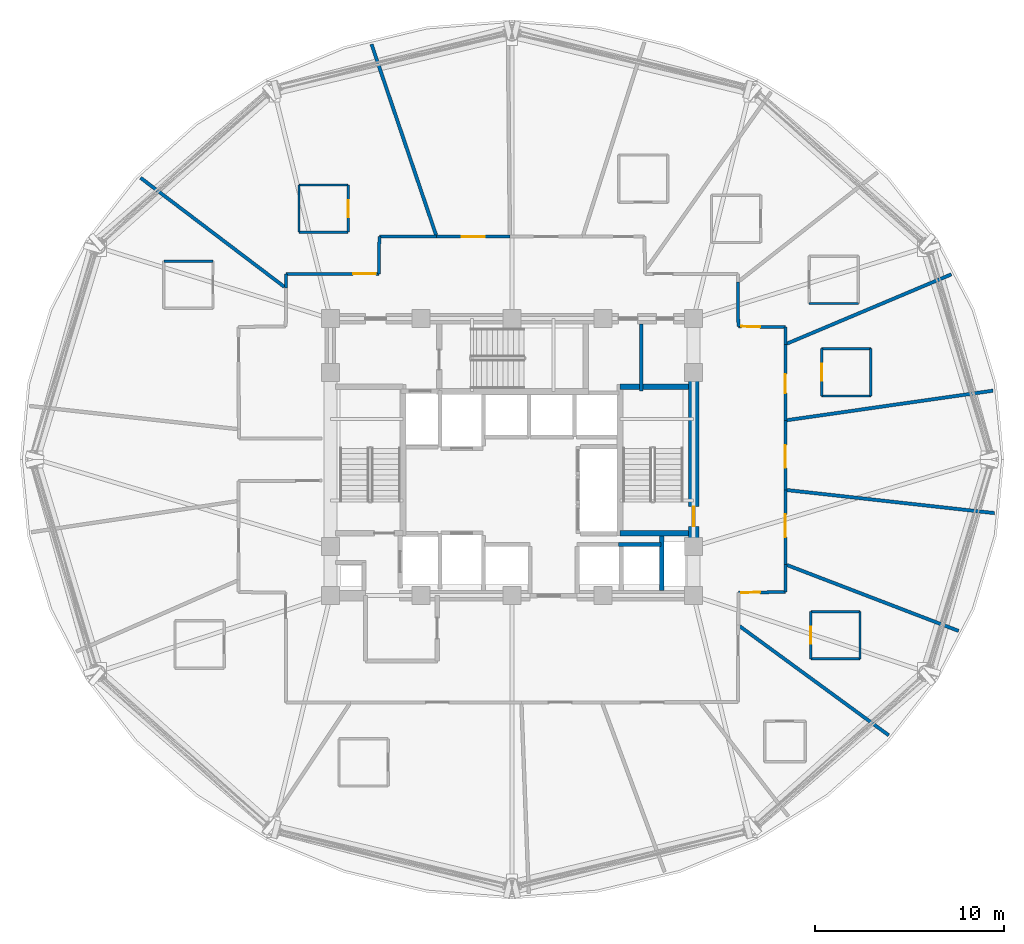
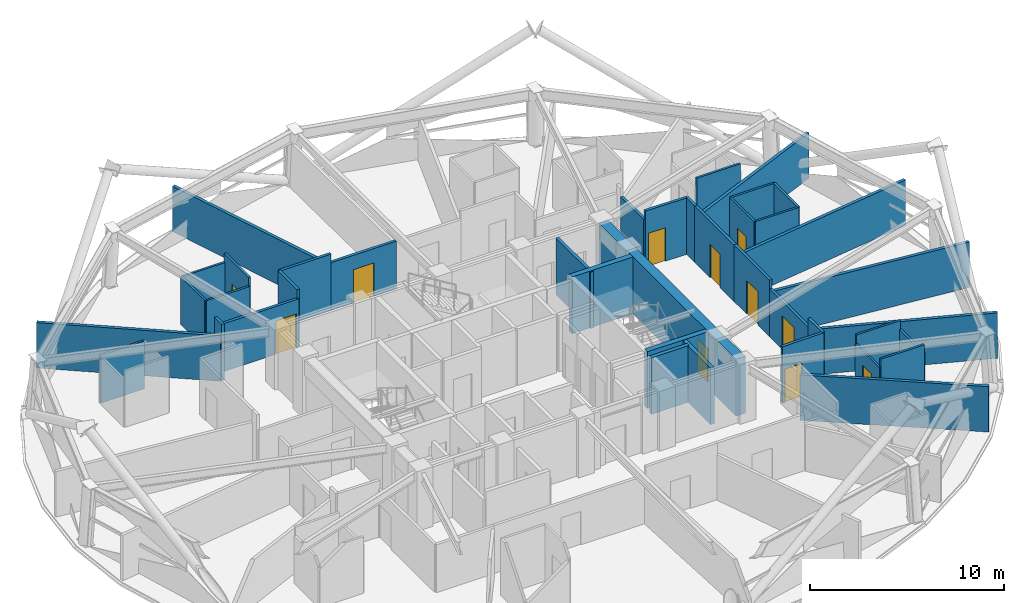
# One storey, part 8 of 13: 40 walls, 11 doors, 11 openings.
"""IFC4 building model written with IfcOpenShell, lengths in metres."""

from ifc_helpers import new_model, si_unit, direction, frame, frame_2d, origin, place, context, subcontext, project, spatial, rectangle, extrude, material, layer, layer_set, type_object, element, fill, save


model = new_model("IFC4")

# Units and contexts
model_context = context("Model", 3, precision=1e-05, world=origin(), true_north=direction((0.0, 1.0)))
body_context = subcontext(model_context, "Body", "Model", "MODEL_VIEW")
ifc_project = project(units=[si_unit("LENGTHUNIT", "METRE"), si_unit("AREAUNIT", "SQUARE_METRE"), si_unit("VOLUMEUNIT", "CUBIC_METRE"), si_unit("PLANEANGLEUNIT", "RADIAN"), si_unit("MASSUNIT", "GRAM", prefix="KILO")], contexts=[model_context])

# Site, building, storey
site_placement = place(None, origin())
site = spatial("IfcSite", under=ifc_project, at=site_placement, CompositionType="ELEMENT")
building_placement = place(site_placement, origin())
building = spatial("IfcBuilding", under=site, at=building_placement, Name="Vantalir Tower", CompositionType="ELEMENT")
storey_placement = place(building_placement, frame((0.0, 0.0, 127.199951171875)))
storey = spatial("IfcBuildingStorey", under=building, at=storey_placement, Name="L31", CompositionType="ELEMENT", Elevation=127.199951171875)

# Walls
ifc_material_1 = material(Name="Moisture-resistant en-suite partition", Category="gypsum")
ifc_layer_1 = layer(ifc_material_1, 0.125)
ifc_layer_set_1 = layer_set([ifc_layer_1], Name="Moisture-resistant en-suite partition")
wall_type_1 = type_object("IfcWallType", Name="WL-BATH-125", PredefinedType="PARTITIONING", material=ifc_layer_set_1)
for number, where, z_axis, x_axis, name in (
    (1, (47.873046875, 28.363037109375, 0.0), (0.0, 0.0, 1.0), (1.0, 0.0, 0.0), "L31 En-suite 01 South Wall"),
    (2, (47.873046875, 30.863037109375, 0.0), (0.0, 0.0, 1.0), (1.0, 0.0, 0.0), "L31 En-suite 01 North Wall"),
):
    element("IfcWall", number, at=place(storey_placement, frame(where, z_axis=z_axis, x_axis=x_axis)), inside=storey, type_object=wall_type_1, Name=name, PredefinedType="PARTITIONING", context=body_context, shape_type="SweptSolid", body=[
        extrude(rectangle(XDim=2.599853515625, YDim=0.125, at=frame_2d((1.2998046875, 0.0))), origin(), (0.0, 0.0, 1.0), 3.550048828125),
    ])

# Wall, opening, door
wall_1_placement = place(storey_placement, frame((47.873046875, 28.363037109375, 0.0), z_axis=(0.0, 0.0, 1.0), x_axis=(0.0, 1.0, 0.0)))
wall_1 = element("IfcWall", 3, at=wall_1_placement, inside=storey, type_object=wall_type_1, Name="L31 En-suite 01 West Wall", PredefinedType="PARTITIONING", context=body_context, shape_type="SweptSolid", body=[
    extrude(rectangle(XDim=2.5, YDim=0.125, at=frame_2d((1.25, 0.0))), origin(), (0.0, 0.0, 1.0), 3.550048828125),
])
opening_1_placement = place(wall_1_placement, frame((0.800048828125, 0.0, 0.0)))
opening_1 = element("IfcOpeningElement", 4, at=opening_1_placement, cuts=wall_1, Name="Opening D-WC", PredefinedType="OPENING", context=body_context, shape_type="SweptSolid", body=[
    extrude(rectangle(XDim=0.89990234375, YDim=2.10009765625, at=frame_2d((0.449951171875, 1.050048828125))), frame((0.0, 0.072509765625, 0.0), z_axis=(0.0, -1.0, 0.0), x_axis=(1.0, 0.0, 0.0)), (0.0, 0.0, 1.0), 0.14501953125),
])
ifc_material_2 = material(Name="Moisture-resistant hardwood door", Category="wood")
door_type_1 = type_object("IfcDoorType", Name="DR-ENSUITE-900", OperationType="NOTDEFINED", PredefinedType="DOOR", material=ifc_material_2)
door_1_placement = place(opening_1_placement, frame((0.89990234375, 0.0, 0.0), z_axis=(0.0, 0.0, 1.0), x_axis=(-1.0, 0.0, 0.0)))
door_1 = element("IfcDoor", 5, at=door_1_placement, inside=storey, type_object=door_type_1, Name="L31 En-suite 01 Door", OperationType="SINGLE_SWING_LEFT", OverallHeight=2.10009765625, OverallWidth=0.89990234375, PredefinedType="DOOR", context=body_context, shape_type="SweptSolid", body=[
    extrude(rectangle(XDim=0.89990234375, YDim=2.10009765625, at=frame_2d((0.449951171875, 1.050048828125))), frame((0.0, 0.02490234375, 0.0), z_axis=(0.0, -1.0, 0.0), x_axis=(1.0, 0.0, 0.0)), (0.0, 0.0, 1.0), 0.050048828125),
])
fill(opening_1, door_1)

# Walls
wall_2_placement = place(storey_placement, frame((50.472900390625, 28.363037109375, 0.0), z_axis=(0.0, 0.0, 1.0), x_axis=(0.0, 1.0, 0.0)))
element("IfcWall", 6, at=wall_2_placement, inside=storey, type_object=wall_type_1, Name="L31 En-suite 01 East Wall", PredefinedType="PARTITIONING", context=body_context, shape_type="SweptSolid", body=[
    extrude(rectangle(XDim=2.5, YDim=0.125, at=frame_2d((1.25, 0.0))), origin(), (0.0, 0.0, 1.0), 3.550048828125),
])
wall_3_placement = place(storey_placement, frame((47.215087890625, 33.25390625, 0.0), z_axis=(0.0, 0.0, 1.0), x_axis=(1.0, 0.0, 0.0)))
element("IfcWall", 7, at=wall_3_placement, inside=storey, type_object=wall_type_1, Name="L31 En-suite 02 South Wall", PredefinedType="PARTITIONING", context=body_context, shape_type="SweptSolid", body=[
    extrude(rectangle(XDim=2.599853515625, YDim=0.125, at=frame_2d((1.2998046875, 0.0))), origin(), (0.0, 0.0, 1.0), 3.550048828125),
])
for number, where, z_axis, x_axis, name in (
    (8, (20.239013671875, 37.02001953125, 0.0), (0.0, 0.0, 1.0), (1.0, 0.0, 0.0), "L31 En-suite 07 South Wall"),
    (9, (20.239013671875, 39.52001953125, 0.0), (0.0, 0.0, 1.0), (1.0, 0.0, 0.0), "L31 En-suite 07 North Wall"),
):
    element("IfcWall", number, at=place(storey_placement, frame(where, z_axis=z_axis, x_axis=x_axis)), inside=storey, type_object=wall_type_1, Name=name, PredefinedType="PARTITIONING", context=body_context, shape_type="SweptSolid", body=[
        extrude(rectangle(XDim=2.60009765625, YDim=0.125, at=frame_2d((1.300048828125, 0.0))), origin(), (0.0, 0.0, 1.0), 3.006103515625),
    ])
wall_4_placement = place(storey_placement, frame((20.239013671875, 37.02001953125, 0.0), z_axis=(0.0, 0.0, 1.0), x_axis=(0.0, 1.0, 0.0)))
element("IfcWall", 10, at=wall_4_placement, inside=storey, type_object=wall_type_1, Name="L31 En-suite 07 West Wall", PredefinedType="PARTITIONING", context=body_context, shape_type="SweptSolid", body=[
    extrude(rectangle(XDim=2.5, YDim=0.125, at=frame_2d((1.25, 0.0))), origin(), (0.0, 0.0, 1.0), 3.006103515625),
])

# Wall, opening, door
wall_5_placement = place(storey_placement, frame((22.839111328125, 37.02001953125, 0.0), z_axis=(0.0, 0.0, 1.0), x_axis=(0.0, 1.0, 0.0)))
wall_5 = element("IfcWall", 11, at=wall_5_placement, inside=storey, type_object=wall_type_1, Name="L31 En-suite 07 East Wall", PredefinedType="PARTITIONING", context=body_context, shape_type="SweptSolid", body=[
    extrude(rectangle(XDim=2.5, YDim=0.125, at=frame_2d((1.25, 0.0))), origin(), (0.0, 0.0, 1.0), 3.550048828125),
])
opening_2_placement = place(wall_5_placement, frame((0.800048828125, 0.0, 0.0)))
opening_2 = element("IfcOpeningElement", 12, at=opening_2_placement, cuts=wall_5, Name="Opening D-WC", PredefinedType="OPENING", context=body_context, shape_type="SweptSolid", body=[
    extrude(rectangle(XDim=0.89990234375, YDim=2.10009765625, at=frame_2d((0.449951171875, 1.050048828125))), frame((0.0, 0.072509765625, 0.0), z_axis=(0.0, -1.0, 0.0), x_axis=(1.0, 0.0, 0.0)), (0.0, 0.0, 1.0), 0.14501953125),
])
door_2_placement = place(opening_2_placement, origin())
door_2 = element("IfcDoor", 13, at=door_2_placement, inside=storey, type_object=door_type_1, Name="L31 En-suite 07 Door", OperationType="SINGLE_SWING_LEFT", OverallHeight=2.10009765625, OverallWidth=0.89990234375, PredefinedType="DOOR", context=body_context, shape_type="SweptSolid", body=[
    extrude(rectangle(XDim=0.89990234375, YDim=2.10009765625, at=frame_2d((0.449951171875, 1.050048828125))), frame((0.0, 0.02490234375, 0.0), z_axis=(0.0, -1.0, 0.0), x_axis=(1.0, 0.0, 0.0)), (0.0, 0.0, 1.0), 0.050048828125),
])
fill(opening_2, door_2)

# Walls
wall_6_placement = place(storey_placement, frame((13.090087890625, 35.493896484375, 0.0), z_axis=(0.0, 0.0, 1.0), x_axis=(1.0, 0.0, 0.0)))
element("IfcWall", 14, at=wall_6_placement, inside=storey, type_object=wall_type_1, Name="L31 En-suite 08 North Wall", PredefinedType="PARTITIONING", context=body_context, shape_type="SweptSolid", body=[
    extrude(rectangle(XDim=2.599853515625, YDim=0.125, at=frame_2d((1.2998046875, 0.0))), origin(), (0.0, 0.0, 1.0), 3.006103515625),
])
for number, where, z_axis, x_axis, name in (
    (15, (47.302001953125, 14.45703125, 0.0), (0.0, 0.0, 1.0), (1.0, 0.0, 0.0), "L31 En-suite 16 South Wall"),
    (16, (47.302001953125, 16.95703125, 0.0), (0.0, 0.0, 1.0), (1.0, 0.0, 0.0), "L31 En-suite 16 North Wall"),
):
    element("IfcWall", number, at=place(storey_placement, frame(where, z_axis=z_axis, x_axis=x_axis)), inside=storey, type_object=wall_type_1, Name=name, PredefinedType="PARTITIONING", context=body_context, shape_type="SweptSolid", body=[
        extrude(rectangle(XDim=2.60009765625, YDim=0.125, at=frame_2d((1.300048828125, 0.0))), origin(), (0.0, 0.0, 1.0), 3.550048828125),
    ])

# Wall, opening, door
wall_7_placement = place(storey_placement, frame((47.302001953125, 14.45703125, 0.0), z_axis=(0.0, 0.0, 1.0), x_axis=(0.0, 1.0, 0.0)))
wall_7 = element("IfcWall", 17, at=wall_7_placement, inside=storey, type_object=wall_type_1, Name="L31 En-suite 16 West Wall", PredefinedType="PARTITIONING", context=body_context, shape_type="SweptSolid", body=[
    extrude(rectangle(XDim=2.5, YDim=0.125, at=frame_2d((1.25, 0.0))), origin(), (0.0, 0.0, 1.0), 3.006103515625),
])
opening_3_placement = place(wall_7_placement, frame((0.800048828125, 0.0, 0.0)))
opening_3 = element("IfcOpeningElement", 18, at=opening_3_placement, cuts=wall_7, Name="Opening D-WC", PredefinedType="OPENING", context=body_context, shape_type="SweptSolid", body=[
    extrude(rectangle(XDim=0.89990234375, YDim=2.10009765625, at=frame_2d((0.449951171875, 1.050048828125))), frame((0.0, 0.072509765625, 0.0), z_axis=(0.0, -1.0, 0.0), x_axis=(1.0, 0.0, 0.0)), (0.0, 0.0, 1.0), 0.14501953125),
])
door_3_placement = place(opening_3_placement, frame((0.89990234375, 0.0, 0.0), z_axis=(0.0, 0.0, 1.0), x_axis=(-1.0, 0.0, 0.0)))
door_3 = element("IfcDoor", 19, at=door_3_placement, inside=storey, type_object=door_type_1, Name="L31 En-suite 16 Door", OperationType="SINGLE_SWING_RIGHT", OverallHeight=2.10009765625, OverallWidth=0.89990234375, PredefinedType="DOOR", context=body_context, shape_type="SweptSolid", body=[
    extrude(rectangle(XDim=0.89990234375, YDim=2.10009765625, at=frame_2d((0.449951171875, 1.050048828125))), frame((0.0, 0.02490234375, 0.0), z_axis=(0.0, -1.0, 0.0), x_axis=(1.0, 0.0, 0.0)), (0.0, 0.0, 1.0), 0.050048828125),
])
fill(opening_3, door_3)

# Wall
wall_8_placement = place(storey_placement, frame((49.902099609375, 14.45703125, 0.0), z_axis=(0.0, 0.0, 1.0), x_axis=(0.0, 1.0, 0.0)))
element("IfcWall", 20, at=wall_8_placement, inside=storey, type_object=wall_type_1, Name="L31 En-suite 16 East Wall", PredefinedType="PARTITIONING", context=body_context, shape_type="SweptSolid", body=[
    extrude(rectangle(XDim=2.5, YDim=0.125, at=frame_2d((1.25, 0.0))), origin(), (0.0, 0.0, 1.0), 3.006103515625),
])

# Wall, opening, door
ifc_material_3 = material(Name="Concrete C60/75", Category="concrete")
ifc_layer_2 = layer(ifc_material_3, 0.550048828125)
ifc_layer_set_2 = layer_set([ifc_layer_2], Name="Concrete C60/75")
wall_type_2 = type_object("IfcWallType", Name="WL-CORE-550", PredefinedType="SHEAR", material=ifc_layer_set_2)
wall_9_placement = place(storey_placement, frame((41.10009765625, 18.074951171875, 0.0), z_axis=(0.0, 0.0, 1.0), x_axis=(0.0, 1.0, 0.0)))
wall_9 = element("IfcWall", 21, at=wall_9_placement, inside=storey, type_object=wall_type_2, Name="L31 Core Shear Wall East", PredefinedType="SHEAR", context=body_context, shape_type="SweptSolid", body=[
    extrude(rectangle(XDim=14.10009765625, YDim=0.550048828125, at=frame_2d((7.050048828125, 0.0))), origin(), (0.0, 0.0, 1.0), 3.570068359375),
])
opening_4_placement = place(wall_9_placement, frame((3.385009765625, 0.0, 0.0)))
opening_4 = element("IfcOpeningElement", 22, at=opening_4_placement, cuts=wall_9, Name="Opening D-ST", PredefinedType="OPENING", context=body_context, shape_type="SweptSolid", body=[
    extrude(rectangle(XDim=1.050048828125, YDim=2.10009765625, at=frame_2d((0.52490234375, 1.050048828125))), frame((0.0, 0.284912109375, 0.0), z_axis=(0.0, -1.0, 0.0), x_axis=(1.0, 0.0, 0.0)), (0.0, 0.0, 1.0), 0.570068359375),
])
ifc_material_4 = material(Name="Fire-rated steel door leaf", Category="steel")
door_type_2 = type_object("IfcDoorType", Name="DR-FIRE-STAIR-1050", OperationType="NOTDEFINED", PredefinedType="DOOR", material=ifc_material_4)
door_4_placement = place(opening_4_placement, origin())
door_4 = element("IfcDoor", 23, at=door_4_placement, inside=storey, type_object=door_type_2, Name="L31 Exit Stair ST2 Fire Door", OperationType="SINGLE_SWING_LEFT", OverallHeight=2.10009765625, OverallWidth=1.050048828125, PredefinedType="DOOR", context=body_context, shape_type="SweptSolid", body=[
    extrude(rectangle(XDim=1.050048828125, YDim=2.10009765625, at=frame_2d((0.52490234375, 1.050048828125))), frame((0.0, 0.02490234375, 0.0), z_axis=(0.0, -1.0, 0.0), x_axis=(1.0, 0.0, 0.0)), (0.0, 0.0, 1.0), 0.050048828125),
])
fill(opening_4, door_4)

# Wall
ifc_material_5 = material(Name="Fire-rated hotel corridor acoustic partition", Category="gypsum")
ifc_layer_3 = layer(ifc_material_5, 0.159912109375)
ifc_layer_set_3 = layer_set([ifc_layer_3], Name="Fire-rated hotel corridor acoustic partition")
wall_type_3 = type_object("IfcWallType", Name="WL-CORR-160", PredefinedType="PARTITIONING", material=ifc_layer_set_3)
wall_10_placement = place(storey_placement, frame((19.552978515625, 34.06201171875, 0.0), z_axis=(0.0, 0.0, 1.0), x_axis=(0.009439683565, 0.999955445195, 0.0)))
element("IfcWall", 24, at=wall_10_placement, inside=storey, type_object=wall_type_3, Name="L31 Corridor Partition 06", PredefinedType="PARTITIONING", context=body_context, shape_type="SweptSolid", body=[
    extrude(rectangle(XDim=0.75, YDim=0.159912109375, at=frame_2d((0.375, 0.0))), origin(), (0.0, 0.0, 1.0), 3.550048828125),
])

# Wall, opening, door
wall_11_placement = place(storey_placement, frame((19.56005859375, 34.81201171875, 0.0), z_axis=(0.0, 0.0, 1.0), x_axis=(0.999999821253, 0.000597907217, 0.0)))
wall_11 = element("IfcWall", 25, at=wall_11_placement, inside=storey, type_object=wall_type_3, Name="L31 Corridor Partition 07", PredefinedType="PARTITIONING", context=body_context, shape_type="SweptSolid", body=[
    extrude(rectangle(XDim=4.89990234375, YDim=0.159912109375, at=frame_2d((2.449951171875, 0.0))), origin(), (0.0, 0.0, 1.0), 3.006103515625),
])
opening_5_placement = place(wall_11_placement, frame((3.5400390625, 0.0, 0.0)))
opening_5 = element("IfcOpeningElement", 26, at=opening_5_placement, cuts=wall_11, Name="Opening D-STE", PredefinedType="OPENING", context=body_context, shape_type="SweptSolid", body=[
    extrude(rectangle(XDim=1.199951171875, YDim=2.10009765625, at=frame_2d((0.60009765625, 1.050048828125))), frame((0.0, 0.08984375, 0.0), z_axis=(0.0, -1.0, 0.0), x_axis=(1.0, 0.0, 0.0)), (0.0, 0.0, 1.0), 0.179931640625),
])
ifc_material_6 = material(Name="Solid-core teak veneer suite entrance door", Category="wood")
door_type_3 = type_object("IfcDoorType", Name="DR-SUITE-ENTRY-1200", OperationType="NOTDEFINED", PredefinedType="DOOR", material=ifc_material_6)
door_5_placement = place(opening_5_placement, origin())
door_5 = element("IfcDoor", 27, at=door_5_placement, inside=storey, type_object=door_type_3, Name="L31 Executive Club Hotel Suite 07 Door", OperationType="SINGLE_SWING_RIGHT", OverallHeight=2.10009765625, OverallWidth=1.199951171875, PredefinedType="DOOR", context=body_context, shape_type="SweptSolid", body=[
    extrude(rectangle(XDim=1.199951171875, YDim=2.10009765625, at=frame_2d((0.60009765625, 1.050048828125))), frame((0.0, 0.02490234375, 0.0), z_axis=(0.0, -1.0, 0.0), x_axis=(1.0, 0.0, 0.0)), (0.0, 0.0, 1.0), 0.050048828125),
])
fill(opening_5, door_5)

# Walls
wall_12_placement = place(storey_placement, frame((24.4599609375, 34.81494140625, 0.0), z_axis=(0.0, 0.0, 1.0), x_axis=(0.012749644486, 0.99991871998, 0.0)))
element("IfcWall", 28, at=wall_12_placement, inside=storey, type_object=wall_type_3, Name="L31 Corridor Partition 08", PredefinedType="PARTITIONING", context=body_context, shape_type="SweptSolid", body=[
    extrude(rectangle(XDim=1.972412109375, YDim=0.159912109375, at=frame_2d((0.986328125, 0.0))), origin(), (0.0, 0.0, 1.0), 3.550048828125),
])
wall_13_placement = place(storey_placement, frame((24.485107421875, 36.787109375, 0.0), z_axis=(0.0, 0.0, 1.0), x_axis=(0.999999947988, 0.000322528608, 0.0)))
element("IfcWall", 29, at=wall_13_placement, inside=storey, type_object=wall_type_3, Name="L31 Corridor Partition 09", PredefinedType="PARTITIONING", context=body_context, shape_type="SweptSolid", body=[
    extrude(rectangle(XDim=3.02783203125, YDim=0.159912109375, at=frame_2d((1.513916015625, 0.0))), origin(), (0.0, 0.0, 1.0), 3.550048828125),
])

# Wall, opening, door
wall_14_placement = place(storey_placement, frame((27.512939453125, 36.7880859375, 0.0), z_axis=(0.0, 0.0, 1.0), x_axis=(1.0, 0.0, 0.0)))
wall_14 = element("IfcWall", 30, at=wall_14_placement, inside=storey, type_object=wall_type_3, Name="L31 Corridor Partition 10", PredefinedType="PARTITIONING", context=body_context, shape_type="SweptSolid", body=[
    extrude(rectangle(XDim=3.873046875, YDim=0.159912109375, at=frame_2d((1.9365234375, 0.0))), origin(), (0.0, 0.0, 1.0), 3.006103515625),
])
opening_6_placement = place(wall_14_placement, frame((1.3359375, 0.0, 0.0)))
opening_6 = element("IfcOpeningElement", 31, at=opening_6_placement, cuts=wall_14, Name="Opening D-STE", PredefinedType="OPENING", context=body_context, shape_type="SweptSolid", body=[
    extrude(rectangle(XDim=1.199951171875, YDim=2.10009765625, at=frame_2d((0.60009765625, 1.050048828125))), frame((0.0, 0.08984375, 0.0), z_axis=(0.0, -1.0, 0.0), x_axis=(1.0, 0.0, 0.0)), (0.0, 0.0, 1.0), 0.179931640625),
])
door_6_placement = place(opening_6_placement, origin())
door_6 = element("IfcDoor", 32, at=door_6_placement, inside=storey, type_object=door_type_3, Name="L31 Executive Sky Boardroom 06 Door", OperationType="SINGLE_SWING_LEFT", OverallHeight=2.10009765625, OverallWidth=1.199951171875, PredefinedType="DOOR", context=body_context, shape_type="SweptSolid", body=[
    extrude(rectangle(XDim=1.199951171875, YDim=2.10009765625, at=frame_2d((0.60009765625, 1.050048828125))), frame((0.0, 0.02490234375, 0.0), z_axis=(0.0, -1.0, 0.0), x_axis=(1.0, 0.0, 0.0)), (0.0, 0.0, 1.0), 0.050048828125),
])
fill(opening_6, door_6)

# Wall
wall_15_placement = place(storey_placement, frame((43.449951171875, 34.389892578125, 0.0), z_axis=(0.0, 0.0, 1.0), x_axis=(0.006441424804, -0.999979253808, 0.0)))
element("IfcWall", 33, at=wall_15_placement, inside=storey, type_object=wall_type_3, Name="L31 Corridor Partition 16", PredefinedType="PARTITIONING", context=body_context, shape_type="SweptSolid", body=[
    extrude(rectangle(XDim=2.349853515625, YDim=0.159912109375, at=frame_2d((1.1748046875, 0.0))), origin(), (0.0, 0.0, 1.0), 3.006103515625),
])

# Wall, opening, door
wall_16_placement = place(storey_placement, frame((43.465087890625, 32.0400390625, 0.0), z_axis=(0.0, 0.0, 1.0), x_axis=(0.99987074174, -0.01607792937, 0.0)))
wall_16 = element("IfcWall", 34, at=wall_16_placement, inside=storey, type_object=wall_type_3, Name="L31 Corridor Partition 17", PredefinedType="PARTITIONING", context=body_context, shape_type="SweptSolid", body=[
    extrude(rectangle(XDim=2.490234375, YDim=0.159912109375, at=frame_2d((1.2451171875, 0.0))), origin(), (0.0, 0.0, 1.0), 3.550048828125),
])
opening_7_placement = place(wall_16_placement, frame((0.159912109375, 0.0, 0.0)))
opening_7 = element("IfcOpeningElement", 35, at=opening_7_placement, cuts=wall_16, Name="Opening D-GUEST", PredefinedType="OPENING", context=body_context, shape_type="SweptSolid", body=[
    extrude(rectangle(XDim=1.0, YDim=2.10009765625, at=frame_2d((0.5, 1.050048828125))), frame((0.0, 0.08984375, 0.0), z_axis=(0.0, -1.0, 0.0), x_axis=(1.0, 0.0, 0.0)), (0.0, 0.0, 1.0), 0.179931640625),
])
ifc_material_7 = material(Name="Solid-core teak veneer acoustic fire door", Category="wood")
door_type_4 = type_object("IfcDoorType", Name="DR-GUEST-ENTRY-1000", OperationType="NOTDEFINED", PredefinedType="DOOR", material=ifc_material_7)
door_7_placement = place(opening_7_placement, origin())
door_7 = element("IfcDoor", 36, at=door_7_placement, inside=storey, type_object=door_type_4, Name="L31 Deluxe King Hotel Room 02 Door", OperationType="SINGLE_SWING_LEFT", OverallHeight=2.10009765625, OverallWidth=1.0, PredefinedType="DOOR", context=body_context, shape_type="SweptSolid", body=[
    extrude(rectangle(XDim=1.0, YDim=2.10009765625, at=frame_2d((0.5, 1.050048828125))), frame((0.0, 0.02490234375, 0.0), z_axis=(0.0, -1.0, 0.0), x_axis=(1.0, 0.0, 0.0)), (0.0, 0.0, 1.0), 0.050048828125),
])
fill(opening_7, door_7)

# Wall
wall_17_placement = place(storey_placement, frame((45.955078125, 32.0, 0.0), z_axis=(0.0, 0.0, 1.0), x_axis=(0.0, -1.0, 0.0)))
element("IfcWall", 37, at=wall_17_placement, inside=storey, type_object=wall_type_3, Name="L31 Corridor Partition 18", PredefinedType="PARTITIONING", context=body_context, shape_type="SweptSolid", body=[
    extrude(rectangle(XDim=0.906982421875, YDim=0.159912109375, at=frame_2d((0.45361328125, 0.0))), origin(), (0.0, 0.0, 1.0), 3.550048828125),
])

# Wall, opening, door
wall_18_placement = place(storey_placement, frame((45.955078125, 31.093017578125, 0.0), z_axis=(0.0, 0.0, 1.0), x_axis=(0.0, -1.0, 0.0)))
wall_18 = element("IfcWall", 38, at=wall_18_placement, inside=storey, type_object=wall_type_3, Name="L31 Corridor Partition 19", PredefinedType="PARTITIONING", context=body_context, shape_type="SweptSolid", body=[
    extrude(rectangle(XDim=4.02392578125, YDim=0.159912109375, at=frame_2d((2.011962890625, 0.0))), origin(), (0.0, 0.0, 1.0), 3.550048828125),
])
opening_8_placement = place(wall_18_placement, frame((1.5830078125, 0.0, 0.0)))
opening_8 = element("IfcOpeningElement", 39, at=opening_8_placement, cuts=wall_18, Name="Opening D-GUEST", PredefinedType="OPENING", context=body_context, shape_type="SweptSolid", body=[
    extrude(rectangle(XDim=1.0, YDim=2.10009765625, at=frame_2d((0.5, 1.050048828125))), frame((0.0, 0.08984375, 0.0), z_axis=(0.0, -1.0, 0.0), x_axis=(1.0, 0.0, 0.0)), (0.0, 0.0, 1.0), 0.179931640625),
])
door_8_placement = place(opening_8_placement, origin())
door_8 = element("IfcDoor", 40, at=door_8_placement, inside=storey, type_object=door_type_4, Name="L31 Twin Queen Hotel Room 01 Door", OperationType="SINGLE_SWING_RIGHT", OverallHeight=2.10009765625, OverallWidth=1.0, PredefinedType="DOOR", context=body_context, shape_type="SweptSolid", body=[
    extrude(rectangle(XDim=1.0, YDim=2.10009765625, at=frame_2d((0.5, 1.050048828125))), frame((0.0, 0.02490234375, 0.0), z_axis=(0.0, -1.0, 0.0), x_axis=(1.0, 0.0, 0.0)), (0.0, 0.0, 1.0), 0.050048828125),
])
fill(opening_8, door_8)

wall_19_placement = place(storey_placement, frame((45.955078125, 27.069091796875, 0.0), z_axis=(0.0, 0.0, 1.0), x_axis=(0.0, -1.0, 0.0)))
wall_19 = element("IfcWall", 41, at=wall_19_placement, inside=storey, type_object=wall_type_3, Name="L31 Corridor Partition 20", PredefinedType="PARTITIONING", context=body_context, shape_type="SweptSolid", body=[
    extrude(rectangle(XDim=3.674072265625, YDim=0.159912109375, at=frame_2d((1.8369140625, 0.0))), origin(), (0.0, 0.0, 1.0), 3.550048828125),
])
opening_9_placement = place(wall_19_placement, frame((1.30908203125, 0.0, 0.0)))
opening_9 = element("IfcOpeningElement", 42, at=opening_9_placement, cuts=wall_19, Name="Opening D-STE", PredefinedType="OPENING", context=body_context, shape_type="SweptSolid", body=[
    extrude(rectangle(XDim=1.199951171875, YDim=2.10009765625, at=frame_2d((0.60009765625, 1.050048828125))), frame((0.0, 0.08984375, 0.0), z_axis=(0.0, -1.0, 0.0), x_axis=(1.0, 0.0, 0.0)), (0.0, 0.0, 1.0), 0.179931640625),
])
door_9_placement = place(opening_9_placement, origin())
door_9 = element("IfcDoor", 43, at=door_9_placement, inside=storey, type_object=door_type_3, Name="L31 Executive Sky Boardroom 18 Door", OperationType="SINGLE_SWING_LEFT", OverallHeight=2.10009765625, OverallWidth=1.199951171875, PredefinedType="DOOR", context=body_context, shape_type="SweptSolid", body=[
    extrude(rectangle(XDim=1.199951171875, YDim=2.10009765625, at=frame_2d((0.60009765625, 1.050048828125))), frame((0.0, 0.02490234375, 0.0), z_axis=(0.0, -1.0, 0.0), x_axis=(1.0, 0.0, 0.0)), (0.0, 0.0, 1.0), 0.050048828125),
])
fill(opening_9, door_9)

wall_20_placement = place(storey_placement, frame((45.955078125, 23.39501953125, 0.0), z_axis=(0.0, 0.0, 1.0), x_axis=(0.0, -1.0, 0.0)))
wall_20 = element("IfcWall", 44, at=wall_20_placement, inside=storey, type_object=wall_type_3, Name="L31 Corridor Partition 21", PredefinedType="PARTITIONING", context=body_context, shape_type="SweptSolid", body=[
    extrude(rectangle(XDim=3.94091796875, YDim=0.159912109375, at=frame_2d((1.970458984375, 0.0))), origin(), (0.0, 0.0, 1.0), 3.006103515625),
])
opening_10_placement = place(wall_20_placement, frame((1.299072265625, 0.0, 0.0)))
opening_10 = element("IfcOpeningElement", 45, at=opening_10_placement, cuts=wall_20, Name="Opening D-STE", PredefinedType="OPENING", context=body_context, shape_type="SweptSolid", body=[
    extrude(rectangle(XDim=1.199951171875, YDim=2.10009765625, at=frame_2d((0.60009765625, 1.050048828125))), frame((0.0, 0.08984375, 0.0), z_axis=(0.0, -1.0, 0.0), x_axis=(1.0, 0.0, 0.0)), (0.0, 0.0, 1.0), 0.179931640625),
])
door_10_placement = place(opening_10_placement, origin())
door_10 = element("IfcDoor", 46, at=door_10_placement, inside=storey, type_object=door_type_3, Name="L31 Club Reading Lounge 17 Door", OperationType="SINGLE_SWING_RIGHT", OverallHeight=2.10009765625, OverallWidth=1.199951171875, PredefinedType="DOOR", context=body_context, shape_type="SweptSolid", body=[
    extrude(rectangle(XDim=1.199951171875, YDim=2.10009765625, at=frame_2d((0.60009765625, 1.050048828125))), frame((0.0, 0.02490234375, 0.0), z_axis=(0.0, -1.0, 0.0), x_axis=(1.0, 0.0, 0.0)), (0.0, 0.0, 1.0), 0.050048828125),
])
fill(opening_10, door_10)

# Wall
wall_21_placement = place(storey_placement, frame((45.955078125, 19.4541015625, 0.0), z_axis=(0.0, 0.0, 1.0), x_axis=(0.0, -1.0, 0.0)))
element("IfcWall", 47, at=wall_21_placement, inside=storey, type_object=wall_type_3, Name="L31 Corridor Partition 22", PredefinedType="PARTITIONING", context=body_context, shape_type="SweptSolid", body=[
    extrude(rectangle(XDim=1.4580078125, YDim=0.159912109375, at=frame_2d((0.72900390625, 0.0))), origin(), (0.0, 0.0, 1.0), 3.550048828125),
])

# Wall, opening, door
wall_22_placement = place(storey_placement, frame((45.955078125, 17.99609375, 0.0), z_axis=(0.0, 0.0, 1.0), x_axis=(-0.999894728777, -0.014509698976, 0.0)))
wall_22 = element("IfcWall", 48, at=wall_22_placement, inside=storey, type_object=wall_type_3, Name="L31 Corridor Partition 23", PredefinedType="PARTITIONING", context=body_context, shape_type="SweptSolid", body=[
    extrude(rectangle(XDim=2.490234375, YDim=0.159912109375, at=frame_2d((1.2451171875, 0.0))), origin(), (0.0, 0.0, 1.0), 3.550048828125),
])
opening_11_placement = place(wall_22_placement, frame((1.330078125, 0.0, 0.0)))
opening_11 = element("IfcOpeningElement", 49, at=opening_11_placement, cuts=wall_22, Name="Opening D-GUEST", PredefinedType="OPENING", context=body_context, shape_type="SweptSolid", body=[
    extrude(rectangle(XDim=1.0, YDim=2.10009765625, at=frame_2d((0.5, 1.050048828125))), frame((0.0, 0.08984375, 0.0), z_axis=(0.0, -1.0, 0.0), x_axis=(1.0, 0.0, 0.0)), (0.0, 0.0, 1.0), 0.179931640625),
])
door_11_placement = place(opening_11_placement, origin())
door_11 = element("IfcDoor", 50, at=door_11_placement, inside=storey, type_object=door_type_4, Name="L31 Twin Queen Hotel Room 16 Door", OperationType="SINGLE_SWING_LEFT", OverallHeight=2.10009765625, OverallWidth=1.0, PredefinedType="DOOR", context=body_context, shape_type="SweptSolid", body=[
    extrude(rectangle(XDim=1.0, YDim=2.10009765625, at=frame_2d((0.5, 1.050048828125))), frame((0.0, 0.02490234375, 0.0), z_axis=(0.0, -1.0, 0.0), x_axis=(1.0, 0.0, 0.0)), (0.0, 0.0, 1.0), 0.050048828125),
])
fill(opening_11, door_11)

# Walls
ifc_material_8 = material(Name="Concrete blockwork with fireboard lining", Category="masonry")
ifc_layer_4 = layer(ifc_material_8, 0.219970703125)
ifc_layer_set_4 = layer_set([ifc_layer_4], Name="Concrete blockwork with fireboard lining")
wall_type_4 = type_object("IfcWallType", Name="WL-FFL-220", PredefinedType="PARTITIONING", material=ifc_layer_set_4)
wall_23_placement = place(storey_placement, frame((39.419921875, 18.074951171875, 0.0), z_axis=(0.0, 0.0, 1.0), x_axis=(0.0, 1.0, 0.0)))
element("IfcWall", 51, at=wall_23_placement, inside=storey, type_object=wall_type_4, Name="L31 East MEP Riser Wall W", PredefinedType="PARTITIONING", context=body_context, shape_type="SweptSolid", body=[
    extrude(rectangle(XDim=2.875, YDim=0.219970703125, at=frame_2d((1.4375, 0.0))), origin(), (0.0, 0.0, 1.0), 3.550048828125),
])
wall_24_placement = place(storey_placement, frame((37.139892578125, 20.510009765625, 0.0), z_axis=(0.0, 0.0, 1.0), x_axis=(1.0, 0.0, 0.0)))
element("IfcWall", 52, at=wall_24_placement, inside=storey, type_object=wall_type_4, Name="L31 Lift PL-X2 Shaft Rear Wall", PredefinedType="PARTITIONING", context=body_context, shape_type="SweptSolid", body=[
    extrude(rectangle(XDim=2.239990234375, YDim=0.219970703125, at=frame_2d((1.1201171875, 0.0))), origin(), (0.0, 0.0, 1.0), 3.550048828125),
])
ifc_material_9 = material(Name="Twin-stud acoustic fire-rated gypsum partition", Category="gypsum")
ifc_layer_5 = layer(ifc_material_9, 0.179931640625)
ifc_layer_set_5 = layer_set([ifc_layer_5], Name="Twin-stud acoustic fire-rated gypsum partition")
wall_type_5 = type_object("IfcWallType", Name="WL-GUEST-180", PredefinedType="PARTITIONING", material=ifc_layer_set_5)
wall_25_placement = place(storey_placement, frame((38.340087890625, 28.6201171875, 0.0), z_axis=(0.0, 0.0, 1.0), x_axis=(0.0, 1.0, 0.0)))
element("IfcWall", 53, at=wall_25_placement, inside=storey, type_object=wall_type_5, Name="L31 High-Rise Lift Lobby East Wall", PredefinedType="PARTITIONING", context=body_context, shape_type="SweptSolid", body=[
    extrude(rectangle(XDim=3.554931640625, YDim=0.179931640625, at=frame_2d((1.77734375, 0.0))), origin(), (0.0, 0.0, 1.0), 3.550048828125),
])
wall_26_placement = place(storey_placement, frame((46.030029296875, 27.080078125, 0.0), z_axis=(0.0, 0.0, 1.0), x_axis=(0.989905557569, 0.141728568376, 0.0)))
element("IfcWall", 54, at=wall_26_placement, inside=storey, type_object=wall_type_5, Name="L31 Radial Suite Partition 01", PredefinedType="PARTITIONING", context=body_context, shape_type="SweptSolid", body=[
    extrude(rectangle(XDim=11.01416015625, YDim=0.179931640625, at=frame_2d((5.507080078125, 0.0))), origin(), (0.0, 0.0, 1.0), 2.85302734375),
])
wall_27_placement = place(storey_placement, frame((46.030029296875, 31.125, 0.0), z_axis=(0.0, 0.0, 1.0), x_axis=(0.921504883915, 0.388366771133, 0.0)))
element("IfcWall", 55, at=wall_27_placement, inside=storey, type_object=wall_type_5, Name="L31 Radial Suite Partition 02", PredefinedType="PARTITIONING", context=body_context, shape_type="SweptSolid", body=[
    extrude(rectangle(XDim=9.442138671875, YDim=0.179931640625, at=frame_2d((4.72119140625, 0.0))), origin(), (0.0, 0.0, 1.0), 2.85302734375),
])
wall_28_placement = place(storey_placement, frame((27.487060546875, 36.864990234375, 0.0), z_axis=(0.0, 0.0, 1.0), x_axis=(-0.320423527142, 0.947274386466, 0.0)))
element("IfcWall", 56, at=wall_28_placement, inside=storey, type_object=wall_type_5, Name="L31 Radial Suite Partition 07", PredefinedType="PARTITIONING", context=body_context, shape_type="SweptSolid", body=[
    extrude(rectangle(XDim=10.657958984375, YDim=0.179931640625, at=frame_2d((5.3291015625, 0.0))), origin(), (0.0, 0.0, 1.0), 2.85302734375),
])
wall_29_placement = place(storey_placement, frame((19.4599609375, 34.133056640625, 0.0), z_axis=(0.0, 0.0, 1.0), x_axis=(-0.796766486919, 0.604287320173, 0.0)))
element("IfcWall", 57, at=wall_29_placement, inside=storey, type_object=wall_type_5, Name="L31 Radial Suite Partition 08", PredefinedType="PARTITIONING", context=body_context, shape_type="SweptSolid", body=[
    extrude(rectangle(XDim=9.538330078125, YDim=0.179931640625, at=frame_2d((4.76904296875, 0.0))), origin(), (0.0, 0.0, 1.0), 2.85302734375),
])
wall_30_placement = place(storey_placement, frame((43.5400390625, 16.18701171875, 0.0), z_axis=(0.0, 0.0, 1.0), x_axis=(0.806901322402, -0.590686258437, 0.0)))
element("IfcWall", 58, at=wall_30_placement, inside=storey, type_object=wall_type_5, Name="L31 Radial Suite Partition 16", PredefinedType="PARTITIONING", context=body_context, shape_type="SweptSolid", body=[
    extrude(rectangle(XDim=9.768310546875, YDim=0.179931640625, at=frame_2d((4.88427734375, 0.0))), origin(), (0.0, 0.0, 1.0), 2.85302734375),
])
wall_31_placement = place(storey_placement, frame((46.030029296875, 19.425048828125, 0.0), z_axis=(0.0, 0.0, 1.0), x_axis=(0.933599546653, -0.358318135863, 0.0)))
element("IfcWall", 59, at=wall_31_placement, inside=storey, type_object=wall_type_5, Name="L31 Radial Suite Partition 17", PredefinedType="PARTITIONING", context=body_context, shape_type="SweptSolid", body=[
    extrude(rectangle(XDim=9.72900390625, YDim=0.179931640625, at=frame_2d((4.864501953125, 0.0))), origin(), (0.0, 0.0, 1.0), 2.85302734375),
])
wall_32_placement = place(storey_placement, frame((46.030029296875, 23.386962890625, 0.0), z_axis=(0.0, 0.0, 1.0), x_axis=(0.993895854214, -0.110322395627, 0.0)))
element("IfcWall", 60, at=wall_32_placement, inside=storey, type_object=wall_type_5, Name="L31 Radial Suite Partition 18", PredefinedType="PARTITIONING", context=body_context, shape_type="SweptSolid", body=[
    extrude(rectangle(XDim=11.04931640625, YDim=0.179931640625, at=frame_2d((5.524658203125, 0.0))), origin(), (0.0, 0.0, 1.0), 2.85302734375),
])
ifc_material_10 = material(Name="Concrete C50/60", Category="concrete")
ifc_layer_6 = layer(ifc_material_10, 0.300048828125)
ifc_layer_set_6 = layer_set([ifc_layer_6], Name="Concrete C50/60")
wall_type_6 = type_object("IfcWallType", Name="WL-STAIR-300", PredefinedType="SHEAR", material=ifc_layer_set_6)
for number, where, z_axis, x_axis, name in (
    (61, (37.2099609375, 21.10009765625, 0.0), (0.0, 0.0, 1.0), (1.0, 0.0, 0.0), "L31 Stair ST2 South Wall"),
    (62, (37.2099609375, 28.85009765625, 0.0), (0.0, 0.0, 1.0), (1.0, 0.0, 0.0), "L31 Stair ST2 North Wall"),
):
    element("IfcWall", number, at=place(storey_placement, frame(where, z_axis=z_axis, x_axis=x_axis)), inside=storey, type_object=wall_type_6, Name=name, PredefinedType="SHEAR", context=body_context, shape_type="SweptSolid", body=[
        extrude(rectangle(XDim=3.614990234375, YDim=0.300048828125, at=frame_2d((1.8076171875, 0.0))), origin(), (0.0, 0.0, 1.0), 3.570068359375),
    ])

save(model, "model.ifc")
